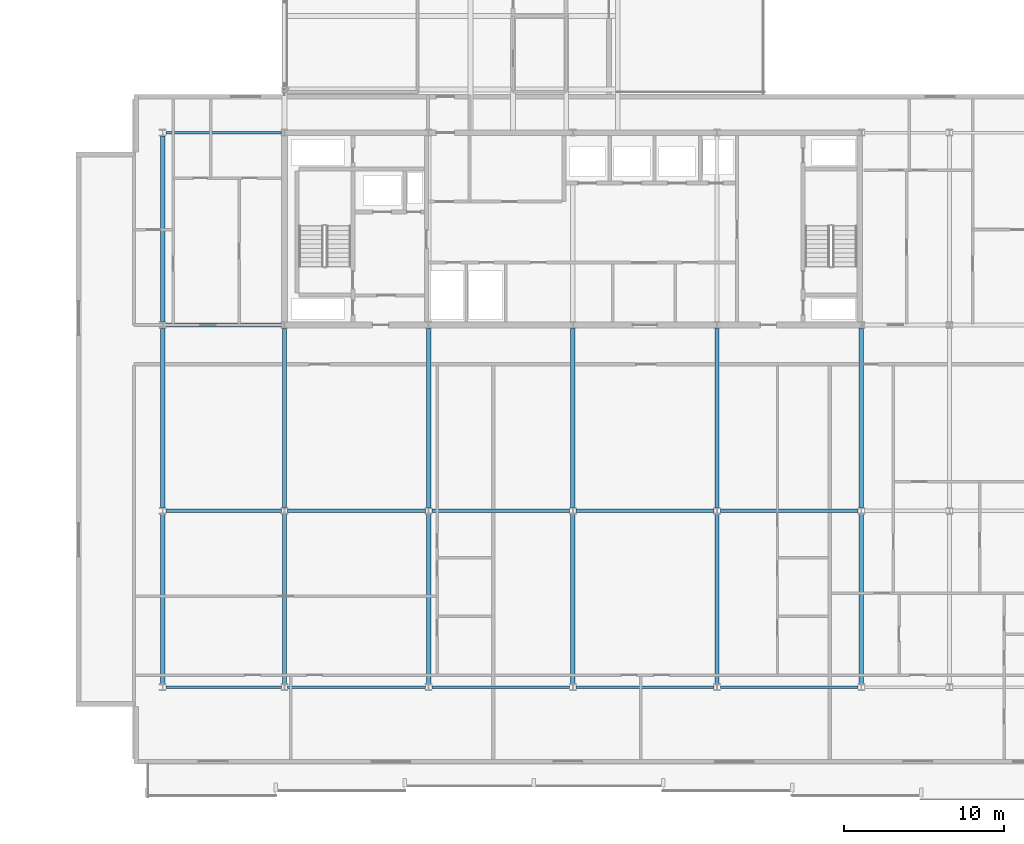
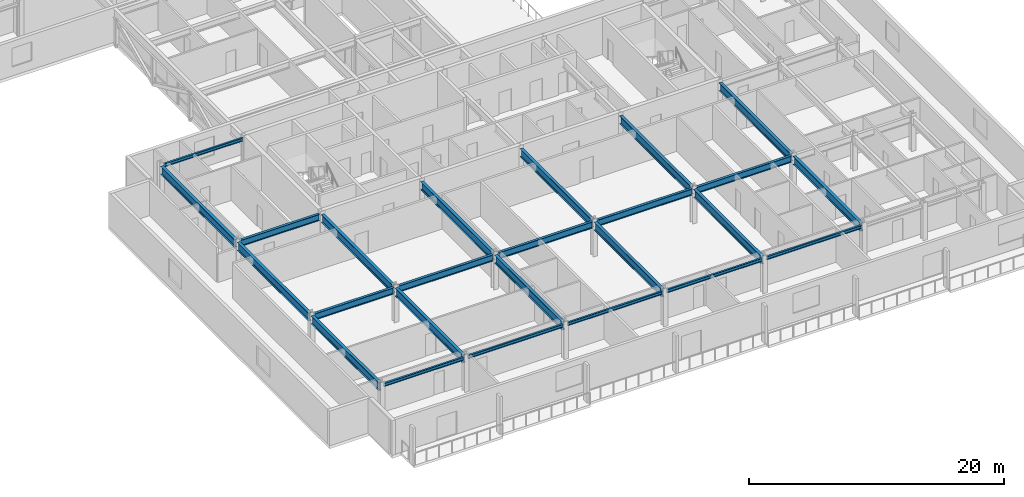
# One storey, part 3 of 28: 25 beams.
"""IFC4 building model written with IfcOpenShell, lengths in metres."""

from ifc_helpers import new_model, si_unit, direction, frame, origin, origin_2d, place, context, subcontext, project, spatial, i_section, extrude, material, material_profile, profile_set, type_object, element, save


model = new_model("IFC4")

# Units and contexts
model_context = context("Model", 3, precision=1e-05, world=origin(), true_north=direction((0.0, 1.0)))
body_context = subcontext(model_context, "Body", "Model", "MODEL_VIEW")
ifc_project = project(units=[si_unit("LENGTHUNIT", "METRE"), si_unit("AREAUNIT", "SQUARE_METRE"), si_unit("VOLUMEUNIT", "CUBIC_METRE"), si_unit("PLANEANGLEUNIT", "RADIAN"), si_unit("MASSUNIT", "GRAM", prefix="KILO")], contexts=[model_context])

# Site, building, storey
site_placement = place(None, origin())
site = spatial("IfcSite", under=ifc_project, at=site_placement, CompositionType="ELEMENT")
building_placement = place(site_placement, origin())
building = spatial("IfcBuilding", under=site, at=building_placement, Name="Korimba Cascade Residences", CompositionType="ELEMENT")
storey_placement = place(building_placement, frame((0.0, 0.0, 153.699951171875)))
storey = spatial("IfcBuildingStorey", under=building, at=storey_placement, Name="L44", CompositionType="ELEMENT", Elevation=153.699951171875)

# Beams
ifc_material = material(Name="Steel S355", Category="steel")
ifc_material_profile_1 = material_profile(ifc_material, i_section(OverallWidth=0.165771484375, OverallDepth=0.306640625, WebThickness=0.006591796875, FlangeThickness=0.01171875, FilletRadius=0.0087890625, at=origin_2d()), Name="Steel S355")
ifc_profile_set_1 = profile_set([ifc_material_profile_1], Name="Steel S355")
beam_type_1 = type_object("IfcBeamType", Name="BM-STL-UB305", PredefinedType="SPANDREL", material=ifc_profile_set_1)
beam_1_placement = place(storey_placement, frame((74.701416015625, -4.199951171875, 3.166748046875), z_axis=(1.0, 0.0, 0.0), x_axis=(0.0, 1.0, 0.0)))
element("IfcBeam", 1, at=beam_1_placement, inside=storey, type_object=beam_type_1, Name="L44 T2 E-W Girder Y1 Bay 1", PredefinedType="SPANDREL", context=body_context, shape_type="SweptSolid", body=[
    extrude(i_section(OverallWidth=0.165771484375, OverallDepth=0.306640625, WebThickness=0.006591796875, FlangeThickness=0.01171875, FilletRadius=0.0087890625, at=origin_2d()), origin(), (0.0, 0.0, 1.0), 7.197021484375),
])
for number, where, z_axis, x_axis, name in (
    (2, (82.301513671875, -4.199951171875, 3.166748046875), (1.0, 0.0, 0.0), (0.0, 1.0, 0.0), "L44 T2 E-W Girder Y1 Bay 2"),
    (3, (91.301513671875, -4.199951171875, 3.166748046875), (1.0, 0.0, 0.0), (0.0, 1.0, 0.0), "L44 T2 E-W Girder Y1 Bay 3"),
    (4, (100.301513671875, -4.199951171875, 3.166748046875), (1.0, 0.0, 0.0), (0.0, 1.0, 0.0), "L44 T2 E-W Girder Y1 Bay 4"),
    (5, (109.301513671875, -4.199951171875, 3.166748046875), (1.0, 0.0, 0.0), (0.0, 1.0, 0.0), "L44 T2 E-W Girder Y1 Bay 5"),
):
    element("IfcBeam", number, at=place(storey_placement, frame(where, z_axis=z_axis, x_axis=x_axis)), inside=storey, type_object=beam_type_1, Name=name, PredefinedType="SPANDREL", context=body_context, shape_type="SweptSolid", body=[
        extrude(i_section(OverallWidth=0.165771484375, OverallDepth=0.306640625, WebThickness=0.006591796875, FlangeThickness=0.01171875, FilletRadius=0.0087890625, at=origin_2d()), origin(), (0.0, 0.0, 1.0), 8.596923828125),
    ])
beam_2_placement = place(storey_placement, frame((74.701416015625, 30.39990234375, 3.166748046875), z_axis=(1.0, 0.0, 0.0), x_axis=(0.0, 1.0, 0.0)))
element("IfcBeam", 6, at=beam_2_placement, inside=storey, type_object=beam_type_1, Name="L44 T2 E-W Girder Y4 Bay 1", PredefinedType="SPANDREL", context=body_context, shape_type="SweptSolid", body=[
    extrude(i_section(OverallWidth=0.165771484375, OverallDepth=0.306640625, WebThickness=0.006591796875, FlangeThickness=0.01171875, FilletRadius=0.0087890625, at=origin_2d()), origin(), (0.0, 0.0, 1.0), 7.197021484375),
])
ifc_material_profile_2 = material_profile(ifc_material, i_section(OverallWidth=0.22900390625, OverallDepth=0.6123046875, WebThickness=0.011962890625, FlangeThickness=0.01953125, FilletRadius=0.0126953125, at=origin_2d()), Name="Steel S355")
ifc_profile_set_2 = profile_set([ifc_material_profile_2], Name="Steel S355")
beam_type_2 = type_object("IfcBeamType", Name="BM-STL-UB610B", PredefinedType="BEAM", material=ifc_profile_set_2)
beam_3_placement = place(storey_placement, frame((74.701416015625, 6.800048828125, 3.013916015625), z_axis=(1.0, 0.0, 0.0), x_axis=(0.0, 1.0, 0.0)))
element("IfcBeam", 7, at=beam_3_placement, inside=storey, type_object=beam_type_2, Name="L44 T2 E-W Girder Y2 Bay 1", PredefinedType="BEAM", context=body_context, shape_type="SweptSolid", body=[
    extrude(i_section(OverallWidth=0.22900390625, OverallDepth=0.6123046875, WebThickness=0.011962890625, FlangeThickness=0.01953125, FilletRadius=0.0126953125, at=origin_2d()), origin(), (0.0, 0.0, 1.0), 7.197021484375),
])
for number, where, z_axis, x_axis, name in (
    (8, (82.301513671875, 6.800048828125, 3.013916015625), (1.0, 0.0, 0.0), (0.0, 1.0, 0.0), "L44 T2 E-W Girder Y2 Bay 2"),
    (9, (91.301513671875, 6.800048828125, 3.013916015625), (1.0, 0.0, 0.0), (0.0, 1.0, 0.0), "L44 T2 E-W Girder Y2 Bay 3"),
    (10, (100.301513671875, 6.800048828125, 3.013916015625), (1.0, 0.0, 0.0), (0.0, 1.0, 0.0), "L44 T2 E-W Girder Y2 Bay 4"),
    (11, (109.301513671875, 6.800048828125, 3.013916015625), (1.0, 0.0, 0.0), (0.0, 1.0, 0.0), "L44 T2 E-W Girder Y2 Bay 5"),
):
    element("IfcBeam", number, at=place(storey_placement, frame(where, z_axis=z_axis, x_axis=x_axis)), inside=storey, type_object=beam_type_2, Name=name, PredefinedType="BEAM", context=body_context, shape_type="SweptSolid", body=[
        extrude(i_section(OverallWidth=0.22900390625, OverallDepth=0.6123046875, WebThickness=0.011962890625, FlangeThickness=0.01953125, FilletRadius=0.0126953125, at=origin_2d()), origin(), (0.0, 0.0, 1.0), 8.596923828125),
    ])
beam_4_placement = place(storey_placement, frame((74.701416015625, 18.39990234375, 3.013916015625), z_axis=(1.0, 0.0, 0.0), x_axis=(0.0, 1.0, 0.0)))
element("IfcBeam", 12, at=beam_4_placement, inside=storey, type_object=beam_type_2, Name="L44 T2 E-W Girder Y3 Bay 1", PredefinedType="BEAM", context=body_context, shape_type="SweptSolid", body=[
    extrude(i_section(OverallWidth=0.22900390625, OverallDepth=0.6123046875, WebThickness=0.011962890625, FlangeThickness=0.01953125, FilletRadius=0.0126953125, at=origin_2d()), origin(), (0.0, 0.0, 1.0), 7.197021484375),
])
ifc_material_profile_3 = material_profile(ifc_material, i_section(OverallWidth=0.26806640625, OverallDepth=0.769775390625, WebThickness=0.015625, FlangeThickness=0.025390625, FilletRadius=0.0166015625, at=origin_2d()), Name="Steel S355")
ifc_profile_set_3 = profile_set([ifc_material_profile_3], Name="Steel S355")
beam_type_3 = type_object("IfcBeamType", Name="BM-STL-UB762", PredefinedType="BEAM", material=ifc_profile_set_3)
beam_5_placement = place(storey_placement, frame((74.5, -3.996826171875, 2.93505859375), z_axis=(0.0, 1.0, 0.0), x_axis=(-1.0, 0.0, 0.0)))
element("IfcBeam", 13, at=beam_5_placement, inside=storey, type_object=beam_type_3, Name="L44 T2 N-S Girder X1 Seg 1", PredefinedType="BEAM", context=body_context, shape_type="SweptSolid", body=[
    extrude(i_section(OverallWidth=0.26806640625, OverallDepth=0.769775390625, WebThickness=0.015625, FlangeThickness=0.025390625, FilletRadius=0.0166015625, at=origin_2d()), origin(), (0.0, 0.0, 1.0), 10.593505859375),
])
beam_6_placement = place(storey_placement, frame((74.5, 7.003173828125, 2.93505859375), z_axis=(0.0, 1.0, 0.0), x_axis=(-1.0, 0.0, 0.0)))
element("IfcBeam", 14, at=beam_6_placement, inside=storey, type_object=beam_type_3, Name="L44 T2 N-S Girder X1 Seg 2", PredefinedType="BEAM", context=body_context, shape_type="SweptSolid", body=[
    extrude(i_section(OverallWidth=0.26806640625, OverallDepth=0.769775390625, WebThickness=0.015625, FlangeThickness=0.025390625, FilletRadius=0.0166015625, at=origin_2d()), origin(), (0.0, 0.0, 1.0), 11.193603515625),
])
beam_7_placement = place(storey_placement, frame((74.5, 18.603271484375, 2.93505859375), z_axis=(0.0, 1.0, 0.0), x_axis=(-1.0, 0.0, 0.0)))
element("IfcBeam", 15, at=beam_7_placement, inside=storey, type_object=beam_type_3, Name="L44 T2 N-S Girder X1 Seg 3", PredefinedType="BEAM", context=body_context, shape_type="SweptSolid", body=[
    extrude(i_section(OverallWidth=0.26806640625, OverallDepth=0.769775390625, WebThickness=0.015625, FlangeThickness=0.025390625, FilletRadius=0.0166015625, at=origin_2d()), origin(), (0.0, 0.0, 1.0), 11.593505859375),
])
beam_8_placement = place(storey_placement, frame((82.10009765625, -3.996826171875, 2.93505859375), z_axis=(0.0, 1.0, 0.0), x_axis=(-1.0, 0.0, 0.0)))
element("IfcBeam", 16, at=beam_8_placement, inside=storey, type_object=beam_type_3, Name="L44 T2 N-S Girder X2 Seg 1", PredefinedType="BEAM", context=body_context, shape_type="SweptSolid", body=[
    extrude(i_section(OverallWidth=0.26806640625, OverallDepth=0.769775390625, WebThickness=0.015625, FlangeThickness=0.025390625, FilletRadius=0.0166015625, at=origin_2d()), origin(), (0.0, 0.0, 1.0), 10.593505859375),
])
beam_9_placement = place(storey_placement, frame((82.10009765625, 7.003173828125, 2.93505859375), z_axis=(0.0, 1.0, 0.0), x_axis=(-1.0, 0.0, 0.0)))
element("IfcBeam", 17, at=beam_9_placement, inside=storey, type_object=beam_type_3, Name="L44 T2 N-S Girder X2 Seg 2", PredefinedType="BEAM", context=body_context, shape_type="SweptSolid", body=[
    extrude(i_section(OverallWidth=0.26806640625, OverallDepth=0.769775390625, WebThickness=0.015625, FlangeThickness=0.025390625, FilletRadius=0.0166015625, at=origin_2d()), origin(), (0.0, 0.0, 1.0), 11.193603515625),
])
beam_10_placement = place(storey_placement, frame((91.10009765625, -3.996826171875, 2.93505859375), z_axis=(0.0, 1.0, 0.0), x_axis=(-1.0, 0.0, 0.0)))
element("IfcBeam", 18, at=beam_10_placement, inside=storey, type_object=beam_type_3, Name="L44 T2 N-S Girder X3 Seg 1", PredefinedType="BEAM", context=body_context, shape_type="SweptSolid", body=[
    extrude(i_section(OverallWidth=0.26806640625, OverallDepth=0.769775390625, WebThickness=0.015625, FlangeThickness=0.025390625, FilletRadius=0.0166015625, at=origin_2d()), origin(), (0.0, 0.0, 1.0), 10.593505859375),
])
beam_11_placement = place(storey_placement, frame((91.10009765625, 7.003173828125, 2.93505859375), z_axis=(0.0, 1.0, 0.0), x_axis=(-1.0, 0.0, 0.0)))
element("IfcBeam", 19, at=beam_11_placement, inside=storey, type_object=beam_type_3, Name="L44 T2 N-S Girder X3 Seg 2", PredefinedType="BEAM", context=body_context, shape_type="SweptSolid", body=[
    extrude(i_section(OverallWidth=0.26806640625, OverallDepth=0.769775390625, WebThickness=0.015625, FlangeThickness=0.025390625, FilletRadius=0.0166015625, at=origin_2d()), origin(), (0.0, 0.0, 1.0), 11.193603515625),
])
beam_12_placement = place(storey_placement, frame((100.10009765625, -3.996826171875, 2.93505859375), z_axis=(0.0, 1.0, 0.0), x_axis=(-1.0, 0.0, 0.0)))
element("IfcBeam", 20, at=beam_12_placement, inside=storey, type_object=beam_type_3, Name="L44 T2 N-S Girder X4 Seg 1", PredefinedType="BEAM", context=body_context, shape_type="SweptSolid", body=[
    extrude(i_section(OverallWidth=0.26806640625, OverallDepth=0.769775390625, WebThickness=0.015625, FlangeThickness=0.025390625, FilletRadius=0.0166015625, at=origin_2d()), origin(), (0.0, 0.0, 1.0), 10.593505859375),
])
beam_13_placement = place(storey_placement, frame((100.10009765625, 7.003173828125, 2.93505859375), z_axis=(0.0, 1.0, 0.0), x_axis=(-1.0, 0.0, 0.0)))
element("IfcBeam", 21, at=beam_13_placement, inside=storey, type_object=beam_type_3, Name="L44 T2 N-S Girder X4 Seg 2", PredefinedType="BEAM", context=body_context, shape_type="SweptSolid", body=[
    extrude(i_section(OverallWidth=0.26806640625, OverallDepth=0.769775390625, WebThickness=0.015625, FlangeThickness=0.025390625, FilletRadius=0.0166015625, at=origin_2d()), origin(), (0.0, 0.0, 1.0), 11.193603515625),
])
beam_14_placement = place(storey_placement, frame((109.10009765625, -3.996826171875, 2.93505859375), z_axis=(0.0, 1.0, 0.0), x_axis=(-1.0, 0.0, 0.0)))
element("IfcBeam", 22, at=beam_14_placement, inside=storey, type_object=beam_type_3, Name="L44 T2 N-S Girder X5 Seg 1", PredefinedType="BEAM", context=body_context, shape_type="SweptSolid", body=[
    extrude(i_section(OverallWidth=0.26806640625, OverallDepth=0.769775390625, WebThickness=0.015625, FlangeThickness=0.025390625, FilletRadius=0.0166015625, at=origin_2d()), origin(), (0.0, 0.0, 1.0), 10.593505859375),
])
beam_15_placement = place(storey_placement, frame((109.10009765625, 7.003173828125, 2.93505859375), z_axis=(0.0, 1.0, 0.0), x_axis=(-1.0, 0.0, 0.0)))
element("IfcBeam", 23, at=beam_15_placement, inside=storey, type_object=beam_type_3, Name="L44 T2 N-S Girder X5 Seg 2", PredefinedType="BEAM", context=body_context, shape_type="SweptSolid", body=[
    extrude(i_section(OverallWidth=0.26806640625, OverallDepth=0.769775390625, WebThickness=0.015625, FlangeThickness=0.025390625, FilletRadius=0.0166015625, at=origin_2d()), origin(), (0.0, 0.0, 1.0), 11.193603515625),
])
beam_16_placement = place(storey_placement, frame((118.10009765625, -3.996826171875, 2.93505859375), z_axis=(0.0, 1.0, 0.0), x_axis=(-1.0, 0.0, 0.0)))
element("IfcBeam", 24, at=beam_16_placement, inside=storey, type_object=beam_type_3, Name="L44 T2 N-S Girder X6 Seg 1", PredefinedType="BEAM", context=body_context, shape_type="SweptSolid", body=[
    extrude(i_section(OverallWidth=0.26806640625, OverallDepth=0.769775390625, WebThickness=0.015625, FlangeThickness=0.025390625, FilletRadius=0.0166015625, at=origin_2d()), origin(), (0.0, 0.0, 1.0), 10.593505859375),
])
beam_17_placement = place(storey_placement, frame((118.10009765625, 7.003173828125, 2.93505859375), z_axis=(0.0, 1.0, 0.0), x_axis=(-1.0, 0.0, 0.0)))
element("IfcBeam", 25, at=beam_17_placement, inside=storey, type_object=beam_type_3, Name="L44 T2 N-S Girder X6 Seg 2", PredefinedType="BEAM", context=body_context, shape_type="SweptSolid", body=[
    extrude(i_section(OverallWidth=0.26806640625, OverallDepth=0.769775390625, WebThickness=0.015625, FlangeThickness=0.025390625, FilletRadius=0.0166015625, at=origin_2d()), origin(), (0.0, 0.0, 1.0), 11.193603515625),
])

save(model, "model.ifc")
